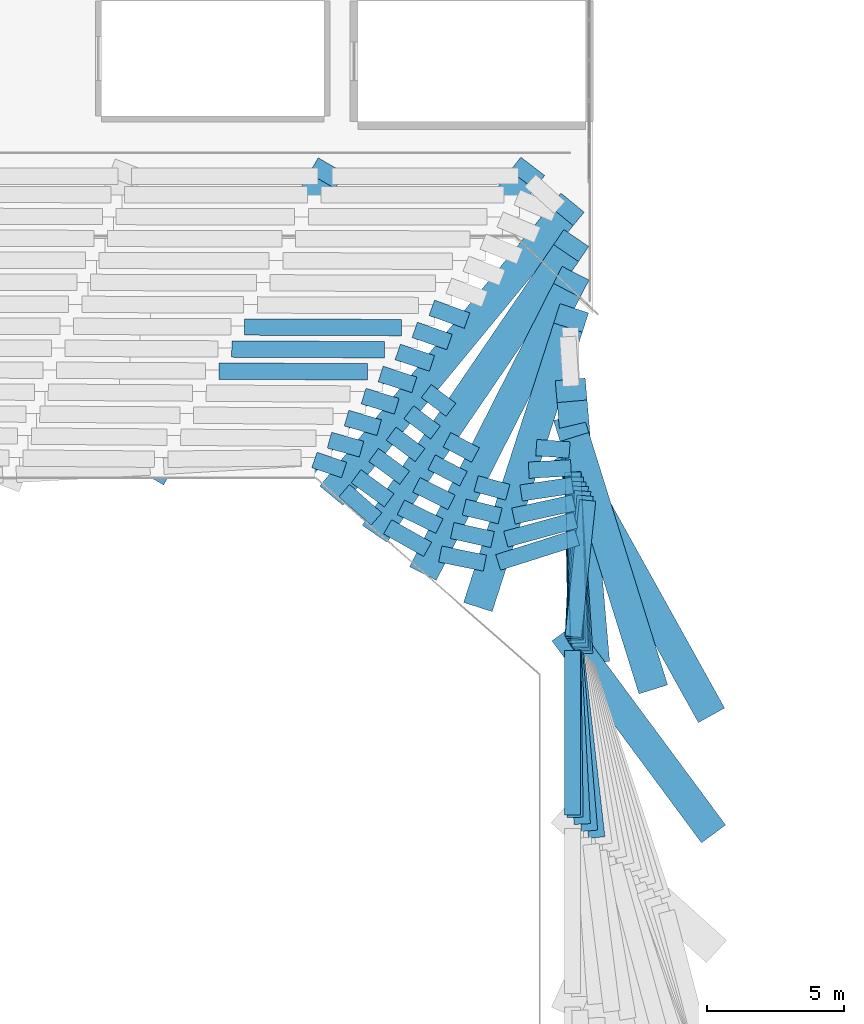
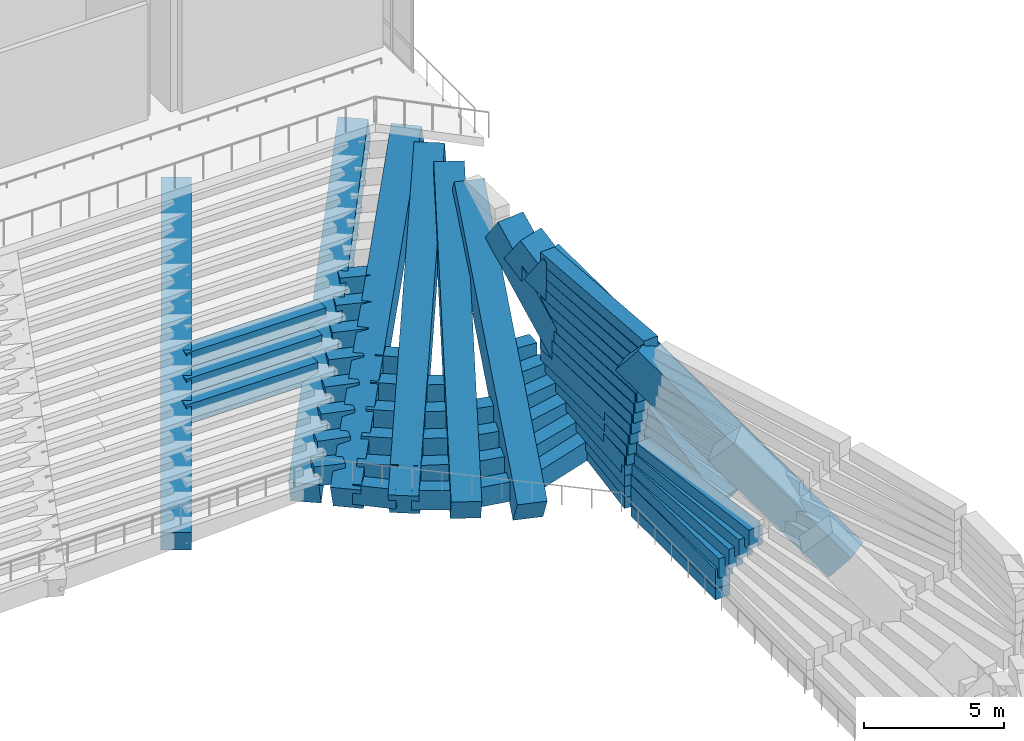
# One storey, part 26 of 55: 63 beams.
"""IFC4 building model written with IfcOpenShell, lengths in metres."""

from ifc_helpers import new_model, si_unit, derived_unit, direction, frame, origin, origin_2d, place, context, subcontext, project, spatial, rectangle, extrude, material, material_profile, profile_set, type_object, element, save


model = new_model("IFC4")

# Units and contexts
model_context = context("Model", 3, precision=1e-05, world=origin(), true_north=direction((0.0, 1.0)))
body_context = subcontext(model_context, "Body", "Model", "MODEL_VIEW")
ifc_project = project(units=[si_unit("LENGTHUNIT", "METRE"), si_unit("AREAUNIT", "SQUARE_METRE"), si_unit("VOLUMEUNIT", "CUBIC_METRE"), si_unit("PLANEANGLEUNIT", "RADIAN"), si_unit("MASSUNIT", "GRAM", prefix="KILO"), derived_unit("THERMALTRANSMITTANCEUNIT", [(si_unit("MASSUNIT", "GRAM", prefix="KILO"), 1), (si_unit("TIMEUNIT", "SECOND"), -3), (si_unit("THERMODYNAMICTEMPERATUREUNIT", "KELVIN"), -1)])], contexts=[model_context])

# Site, building, storey
site_placement = place(None, origin())
site = spatial("IfcSite", under=ifc_project, at=site_placement, CompositionType="ELEMENT")
building_placement = place(site_placement, origin())
building = spatial("IfcBuilding", under=site, at=building_placement, Name="Valcora Ridge Arena", CompositionType="ELEMENT")
storey_placement = place(building_placement, frame((0.0, 0.0, 21.0)))
storey = spatial("IfcBuildingStorey", under=building, at=storey_placement, Name="L04", CompositionType="ELEMENT", Elevation=21.0)

# Beams
ifc_material_1 = material(Name="Concrete C40/50", Category="concrete")
ifc_material_profile_1 = material_profile(ifc_material_1, rectangle(XDim=0.60009765625, YDim=0.85009765625, at=origin_2d()), Name="RC 600x850")
ifc_profile_set_1 = profile_set([ifc_material_profile_1], Name="Concrete C40/50")
beam_type_1 = type_object("IfcBeamType", Name="TY-BEAM-B-RC600-X", PredefinedType="BEAM", material=ifc_profile_set_1)
beam_1_placement = place(storey_placement, frame((89.049560546875, 77.405517578125, -8.22509765625), z_axis=(0.0, 1.0, 0.0), x_axis=(-1.0, 0.0, 0.0)))
element("IfcBeam", 1, at=beam_1_placement, inside=storey, type_object=beam_type_1, Name="B-RC600-X BEM-RU3-B-RC600-X-0025", PredefinedType="BEAM", context=body_context, shape_type="SweptSolid", body=[
    extrude(rectangle(XDim=0.60009765625, YDim=0.85009765625, at=origin_2d()), origin(), (0.0, 0.0, 1.0), 6.027587890625),
])
beam_2_placement = place(storey_placement, frame((89.07568359375, 83.931884765625, -8.22509765625), z_axis=(0.104811430314, 0.994492113632, 0.0), x_axis=(-0.994492113632, 0.104811430314, 0.0)))
element("IfcBeam", 2, at=beam_2_placement, inside=storey, type_object=beam_type_1, Name="B-RC600-X BEM-RU3-B-RC600-X-0026", PredefinedType="BEAM", context=body_context, shape_type="SweptSolid", body=[
    extrude(rectangle(XDim=0.60009765625, YDim=0.85009765625, at=origin_2d()), origin(), (0.0, 0.0, 1.0), 5.017333984375),
])
beam_3_placement = place(storey_placement, frame((89.218994140625, 87.569091796875, -8.22509765625), z_axis=(-0.953092587422, -0.302678905443, 0.0), x_axis=(0.302678905443, -0.953092587422, 0.0)))
element("IfcBeam", 3, at=beam_3_placement, inside=storey, type_object=beam_type_1, Name="B-RC600-X BEM-RU3-B-RC600-X-0027", PredefinedType="BEAM", context=body_context, shape_type="SweptSolid", body=[
    extrude(rectangle(XDim=0.60009765625, YDim=0.85009765625, at=origin_2d()), origin(), (0.0, 0.0, 1.0), 3.034423828125),
])
beam_4_placement = place(storey_placement, frame((85.84375, 86.625, -8.22509765625), z_axis=(-0.979945379048, 0.199266289379, 0.0), x_axis=(-0.199266289379, -0.979945379048, 0.0)))
element("IfcBeam", 4, at=beam_4_placement, inside=storey, type_object=beam_type_1, Name="B-RC600-X BEM-RU3-B-RC600-X-0028", PredefinedType="BEAM", context=body_context, shape_type="SweptSolid", body=[
    extrude(rectangle(XDim=0.60009765625, YDim=0.85009765625, at=origin_2d()), origin(), (0.0, 0.0, 1.0), 1.668701171875),
])
beam_5_placement = place(storey_placement, frame((83.74560546875, 87.1298828125, -8.22509765625), z_axis=(-0.871567775665, 0.490275037528, 0.0), x_axis=(-0.490275037528, -0.871567775665, 0.0)))
element("IfcBeam", 5, at=beam_5_placement, inside=storey, type_object=beam_type_1, Name="B-RC600-X BEM-RU3-B-RC600-X-0029", PredefinedType="BEAM", context=body_context, shape_type="SweptSolid", body=[
    extrude(rectangle(XDim=0.60009765625, YDim=0.85009765625, at=origin_2d()), origin(), (0.0, 0.0, 1.0), 1.68017578125),
])
beam_6_placement = place(storey_placement, frame((81.875244140625, 88.240966796875, -8.22509765625), z_axis=(-0.751796929864, 0.659394704442, 0.0), x_axis=(-0.659394704442, -0.751796929864, 0.0)))
element("IfcBeam", 6, at=beam_6_placement, inside=storey, type_object=beam_type_1, Name="B-RC600-X BEM-RU3-B-RC600-X-0030", PredefinedType="BEAM", context=body_context, shape_type="SweptSolid", body=[
    extrude(rectangle(XDim=0.60009765625, YDim=0.85009765625, at=origin_2d()), origin(), (0.0, 0.0, 1.0), 1.572021484375),
])
beam_7_placement = place(storey_placement, frame((89.049560546875, 77.405517578125, -7.7451171875), z_axis=(0.0, 1.0, 0.0), x_axis=(-1.0, 0.0, 0.0)))
element("IfcBeam", 7, at=beam_7_placement, inside=storey, type_object=beam_type_1, Name="B-RC600-X BEM-RU3-B-RC600-X-0074", PredefinedType="BEAM", context=body_context, shape_type="SweptSolid", body=[
    extrude(rectangle(XDim=0.60009765625, YDim=0.85009765625, at=origin_2d()), origin(), (0.0, 0.0, 1.0), 6.027587890625),
])
beam_8_placement = place(storey_placement, frame((89.07080078125, 83.932373046875, -7.7451171875), z_axis=(0.084992008526, 0.996381632953, 0.0), x_axis=(-0.996381632953, 0.084992008526, 0.0)))
element("IfcBeam", 8, at=beam_8_placement, inside=storey, type_object=beam_type_1, Name="B-RC600-X BEM-RU3-B-RC600-X-0075", PredefinedType="BEAM", context=body_context, shape_type="SweptSolid", body=[
    extrude(rectangle(XDim=0.60009765625, YDim=0.85009765625, at=origin_2d()), origin(), (0.0, 0.0, 1.0), 5.17919921875),
])
beam_9_placement = place(storey_placement, frame((89.16259765625, 88.19970703125, -7.7451171875), z_axis=(-0.964544451125, -0.263920445975, 0.0), x_axis=(0.263920445975, -0.964544451125, 0.0)))
element("IfcBeam", 9, at=beam_9_placement, inside=storey, type_object=beam_type_1, Name="B-RC600-X BEM-RU3-B-RC600-X-0076", PredefinedType="BEAM", context=body_context, shape_type="SweptSolid", body=[
    extrude(rectangle(XDim=0.60009765625, YDim=0.85009765625, at=origin_2d()), origin(), (0.0, 0.0, 1.0), 2.6494140625),
])
beam_10_placement = place(storey_placement, frame((86.1220703125, 87.489013671875, -7.7451171875), z_axis=(-0.97615664902, 0.217067262787, 0.0), x_axis=(-0.217067262787, -0.97615664902, 0.0)))
element("IfcBeam", 10, at=beam_10_placement, inside=storey, type_object=beam_type_1, Name="B-RC600-X BEM-RU3-B-RC600-X-0077", PredefinedType="BEAM", context=body_context, shape_type="SweptSolid", body=[
    extrude(rectangle(XDim=0.60009765625, YDim=0.85009765625, at=origin_2d()), origin(), (0.0, 0.0, 1.0), 1.51171875),
])
beam_11_placement = place(storey_placement, frame((84.177734375, 87.98095703125, -7.7451171875), z_axis=(-0.89916563474, 0.437608456617, 0.0), x_axis=(-0.437608456617, -0.89916563474, 0.0)))
element("IfcBeam", 11, at=beam_11_placement, inside=storey, type_object=beam_type_1, Name="B-RC600-X BEM-RU3-B-RC600-X-0078", PredefinedType="BEAM", context=body_context, shape_type="SweptSolid", body=[
    extrude(rectangle(XDim=0.60009765625, YDim=0.85009765625, at=origin_2d()), origin(), (0.0, 0.0, 1.0), 1.56982421875),
])
beam_12_placement = place(storey_placement, frame((82.339111328125, 88.92431640625, -7.7451171875), z_axis=(-0.808848831066, 0.588016639631, 0.0), x_axis=(-0.588016639631, -0.808848831066, 0.0)))
element("IfcBeam", 12, at=beam_12_placement, inside=storey, type_object=beam_type_1, Name="B-RC600-X BEM-RU3-B-RC600-X-0079", PredefinedType="BEAM", context=body_context, shape_type="SweptSolid", body=[
    extrude(rectangle(XDim=0.60009765625, YDim=0.85009765625, at=origin_2d()), origin(), (0.0, 0.0, 1.0), 1.498046875),
])
beam_13_placement = place(storey_placement, frame((80.6884765625, 90.032470703125, -7.7451171875), z_axis=(-0.947035229154, 0.321129685239, 0.0), x_axis=(-0.321129685239, -0.947035229154, 0.0)))
element("IfcBeam", 13, at=beam_13_placement, inside=storey, type_object=beam_type_1, Name="B-RC600-X BEM-RU3-B-RC600-X-0080", PredefinedType="BEAM", context=body_context, shape_type="SweptSolid", body=[
    extrude(rectangle(XDim=0.60009765625, YDim=0.85009765625, at=origin_2d()), origin(), (0.0, 0.0, 1.0), 1.1494140625),
])
beam_14_placement = place(storey_placement, frame((89.14013671875, 77.320556640625, -7.264892578125), z_axis=(-0.014257447522, 0.999898357429, 0.0), x_axis=(-0.999898357429, -0.014257447522, 0.0)))
element("IfcBeam", 14, at=beam_14_placement, inside=storey, type_object=beam_type_1, Name="B-RC600-X BEM-RU3-B-RC600-X-0125", PredefinedType="BEAM", context=body_context, shape_type="SweptSolid", body=[
    extrude(rectangle(XDim=0.60009765625, YDim=0.85009765625, at=origin_2d()), origin(), (0.0, 0.0, 1.0), 6.11328125),
])
beam_15_placement = place(storey_placement, frame((89.066162109375, 83.9326171875, -7.264892578125), z_axis=(0.066300652641, 0.99779969105, 0.0), x_axis=(-0.99779969105, 0.066300652641, 0.0)))
element("IfcBeam", 15, at=beam_15_placement, inside=storey, type_object=beam_type_1, Name="B-RC600-X BEM-RU3-B-RC600-X-0126", PredefinedType="BEAM", context=body_context, shape_type="SweptSolid", body=[
    extrude(rectangle(XDim=0.60009765625, YDim=0.85009765625, at=origin_2d()), origin(), (0.0, 0.0, 1.0), 5.343017578125),
])
beam_16_placement = place(storey_placement, frame((89.106201171875, 88.8330078125, -7.264892578125), z_axis=(-0.976877572152, -0.213799459838, 0.0), x_axis=(0.213799459838, -0.976877572152, 0.0)))
element("IfcBeam", 16, at=beam_16_placement, inside=storey, type_object=beam_type_1, Name="B-RC600-X BEM-RU3-B-RC600-X-0127", PredefinedType="BEAM", context=body_context, shape_type="SweptSolid", body=[
    extrude(rectangle(XDim=0.60009765625, YDim=0.85009765625, at=origin_2d()), origin(), (0.0, 0.0, 1.0), 2.271240234375),
])
beam_17_placement = place(storey_placement, frame((86.400390625, 88.353515625, -7.264892578125), z_axis=(-0.971224212148, 0.238167020675, 0.0), x_axis=(-0.238167020675, -0.971224212148, 0.0)))
element("IfcBeam", 17, at=beam_17_placement, inside=storey, type_object=beam_type_1, Name="B-RC600-X BEM-RU3-B-RC600-X-0128", PredefinedType="BEAM", context=body_context, shape_type="SweptSolid", body=[
    extrude(rectangle(XDim=0.60009765625, YDim=0.85009765625, at=origin_2d()), origin(), (0.0, 0.0, 1.0), 1.355224609375),
])
beam_18_placement = place(storey_placement, frame((84.617919921875, 88.84765625, -7.264892578125), z_axis=(-0.894257727757, 0.447552361571, 0.0), x_axis=(-0.447552361571, -0.894257727757, 0.0)))
element("IfcBeam", 18, at=beam_18_placement, inside=storey, type_object=beam_type_1, Name="B-RC600-X BEM-RU3-B-RC600-X-0129", PredefinedType="BEAM", context=body_context, shape_type="SweptSolid", body=[
    extrude(rectangle(XDim=0.60009765625, YDim=0.85009765625, at=origin_2d()), origin(), (0.0, 0.0, 1.0), 1.441162109375),
])
beam_19_placement = place(storey_placement, frame((82.90380859375, 89.752685546875, -7.264892578125), z_axis=(-0.806040655249, 0.591860171059, 0.0), x_axis=(-0.591860171059, -0.806040655249, 0.0)))
element("IfcBeam", 19, at=beam_19_placement, inside=storey, type_object=beam_type_1, Name="B-RC600-X BEM-RU3-B-RC600-X-0130", PredefinedType="BEAM", context=body_context, shape_type="SweptSolid", body=[
    extrude(rectangle(XDim=0.60009765625, YDim=0.85009765625, at=origin_2d()), origin(), (0.0, 0.0, 1.0), 1.406494140625),
])
beam_20_placement = place(storey_placement, frame((81.327392578125, 90.7998046875, -7.264892578125), z_axis=(-0.963566653158, 0.267468325082, 0.0), x_axis=(-0.267468325082, -0.963566653158, 0.0)))
element("IfcBeam", 20, at=beam_20_placement, inside=storey, type_object=beam_type_1, Name="B-RC600-X BEM-RU3-B-RC600-X-0131", PredefinedType="BEAM", context=body_context, shape_type="SweptSolid", body=[
    extrude(rectangle(XDim=0.60009765625, YDim=0.85009765625, at=origin_2d()), origin(), (0.0, 0.0, 1.0), 1.219482421875),
])
beam_21_placement = place(storey_placement, frame((89.404541015625, 77.07373046875, -6.784912109375), z_axis=(-0.052353199122, 0.998628630944, 0.0), x_axis=(-0.998628630944, -0.052353199122, 0.0)))
element("IfcBeam", 21, at=beam_21_placement, inside=storey, type_object=beam_type_1, Name="B-RC600-X BEM-RU3-B-RC600-X-0175", PredefinedType="BEAM", context=body_context, shape_type="SweptSolid", body=[
    extrude(rectangle(XDim=0.60009765625, YDim=0.85009765625, at=origin_2d()), origin(), (0.0, 0.0, 1.0), 6.356201171875),
])
beam_22_placement = place(storey_placement, frame((89.0703125, 83.920654296875, -6.784912109375), z_axis=(0.047008360598, 0.998894495947, 0.0), x_axis=(-0.998894495947, 0.047008360598, 0.0)))
element("IfcBeam", 22, at=beam_22_placement, inside=storey, type_object=beam_type_1, Name="B-RC600-X BEM-RU3-B-RC600-X-0176", PredefinedType="BEAM", context=body_context, shape_type="SweptSolid", body=[
    extrude(rectangle(XDim=0.60009765625, YDim=0.85009765625, at=origin_2d()), origin(), (0.0, 0.0, 1.0), 5.520751953125),
])
beam_23_placement = place(storey_placement, frame((89.049560546875, 89.47021484375, -6.784912109375), z_axis=(-0.989108867019, -0.147185764202, 0.0), x_axis=(0.147185764202, -0.989108867019, 0.0)))
element("IfcBeam", 23, at=beam_23_placement, inside=storey, type_object=beam_type_1, Name="B-RC600-X BEM-RU3-B-RC600-X-0177", PredefinedType="BEAM", context=body_context, shape_type="SweptSolid", body=[
    extrude(rectangle(XDim=0.60009765625, YDim=0.85009765625, at=origin_2d()), origin(), (0.0, 0.0, 1.0), 1.902587890625),
])
beam_24_placement = place(storey_placement, frame((86.67919921875, 89.218994140625, -6.784912109375), z_axis=(-0.964895151549, 0.262635387023, 0.0), x_axis=(-0.262635387023, -0.964895151549, 0.0)))
element("IfcBeam", 24, at=beam_24_placement, inside=storey, type_object=beam_type_1, Name="B-RC600-X BEM-RU3-B-RC600-X-0178", PredefinedType="BEAM", context=body_context, shape_type="SweptSolid", body=[
    extrude(rectangle(XDim=0.60009765625, YDim=0.85009765625, at=origin_2d()), origin(), (0.0, 0.0, 1.0), 1.2001953125),
])
beam_25_placement = place(storey_placement, frame((85.05810546875, 89.714599609375, -6.784912109375), z_axis=(-0.888473928807, 0.458927094243, 0.0), x_axis=(-0.458927094243, -0.888473928807, 0.0)))
element("IfcBeam", 25, at=beam_25_placement, inside=storey, type_object=beam_type_1, Name="B-RC600-X BEM-RU3-B-RC600-X-0179", PredefinedType="BEAM", context=body_context, shape_type="SweptSolid", body=[
    extrude(rectangle(XDim=0.60009765625, YDim=0.85009765625, at=origin_2d()), origin(), (0.0, 0.0, 1.0), 1.31298828125),
])
beam_26_placement = place(storey_placement, frame((83.46875, 90.580810546875, -6.784912109375), z_axis=(-0.803017827762, 0.595955005262, 0.0), x_axis=(-0.595955005262, -0.803017827762, 0.0)))
element("IfcBeam", 26, at=beam_26_placement, inside=storey, type_object=beam_type_1, Name="B-RC600-X BEM-RU3-B-RC600-X-0180", PredefinedType="BEAM", context=body_context, shape_type="SweptSolid", body=[
    extrude(rectangle(XDim=0.60009765625, YDim=0.85009765625, at=origin_2d()), origin(), (0.0, 0.0, 1.0), 1.31591796875),
])
beam_27_placement = place(storey_placement, frame((81.971435546875, 91.583984375, -6.784912109375), z_axis=(-0.959848260942, 0.280519724739, 0.0), x_axis=(-0.280519724739, -0.959848260942, 0.0)))
element("IfcBeam", 27, at=beam_27_placement, inside=storey, type_object=beam_type_1, Name="B-RC600-X BEM-RU3-B-RC600-X-0181", PredefinedType="BEAM", context=body_context, shape_type="SweptSolid", body=[
    extrude(rectangle(XDim=0.60009765625, YDim=0.85009765625, at=origin_2d()), origin(), (0.0, 0.0, 1.0), 1.24462890625),
])
beam_28_placement = place(storey_placement, frame((89.6708984375, 76.82666015625, -6.304931640625), z_axis=(-0.083393632933, 0.996516684249, 0.0), x_axis=(-0.996516684249, -0.083393632933, 0.0)))
element("IfcBeam", 28, at=beam_28_placement, inside=storey, type_object=beam_type_1, Name="B-RC600-X BEM-RU3-B-RC600-X-0219", PredefinedType="BEAM", context=body_context, shape_type="SweptSolid", body=[
    extrude(rectangle(XDim=0.60009765625, YDim=0.85009765625, at=origin_2d()), origin(), (0.0, 0.0, 1.0), 6.557861328125),
])
beam_29_placement = place(storey_placement, frame((89.10888671875, 83.860595703125, -6.304931640625), z_axis=(0.022937539345, 0.999736900034, 0.0), x_axis=(-0.999736900034, 0.022937539345, 0.0)))
element("IfcBeam", 29, at=beam_29_placement, inside=storey, type_object=beam_type_1, Name="B-RC600-X BEM-RU3-B-RC600-X-0220", PredefinedType="BEAM", context=body_context, shape_type="SweptSolid", body=[
    extrude(rectangle(XDim=0.60009765625, YDim=0.85009765625, at=origin_2d()), origin(), (0.0, 0.0, 1.0), 5.74755859375),
])
beam_30_placement = place(storey_placement, frame((88.99365234375, 90.113525390625, -6.304931640625), z_axis=(-0.998424253213, -0.056116045807, 0.0), x_axis=(0.056116045807, -0.998424253213, 0.0)))
element("IfcBeam", 30, at=beam_30_placement, inside=storey, type_object=beam_type_1, Name="B-RC600-X BEM-RU3-B-RC600-X-0221", PredefinedType="BEAM", context=body_context, shape_type="SweptSolid", body=[
    extrude(rectangle(XDim=0.60009765625, YDim=0.85009765625, at=origin_2d()), origin(), (0.0, 0.0, 1.0), 1.548828125),
])
beam_31_placement = place(storey_placement, frame((85.49853515625, 90.581787109375, -6.304931640625), z_axis=(-0.881593270185, 0.47200985791, 0.0), x_axis=(-0.47200985791, -0.881593270185, 0.0)))
element("IfcBeam", 31, at=beam_31_placement, inside=storey, type_object=beam_type_1, Name="B-RC600-X BEM-RU3-B-RC600-X-0222", PredefinedType="BEAM", context=body_context, shape_type="SweptSolid", body=[
    extrude(rectangle(XDim=0.60009765625, YDim=0.85009765625, at=origin_2d()), origin(), (0.0, 0.0, 1.0), 1.18505859375),
])
beam_32_placement = place(storey_placement, frame((84.033447265625, 91.4091796875, -6.304931640625), z_axis=(-0.799641005307, 0.600478361502, 0.0), x_axis=(-0.600478361502, -0.799641005307, 0.0)))
element("IfcBeam", 32, at=beam_32_placement, inside=storey, type_object=beam_type_1, Name="B-RC600-X BEM-RU3-B-RC600-X-0223", PredefinedType="BEAM", context=body_context, shape_type="SweptSolid", body=[
    extrude(rectangle(XDim=0.60009765625, YDim=0.85009765625, at=origin_2d()), origin(), (0.0, 0.0, 1.0), 1.224609375),
])
beam_33_placement = place(storey_placement, frame((82.615478515625, 92.367919921875, -6.304931640625), z_axis=(-0.956019721156, 0.293302391332, 0.0), x_axis=(-0.293302391332, -0.956019721156, 0.0)))
element("IfcBeam", 33, at=beam_33_placement, inside=storey, type_object=beam_type_1, Name="B-RC600-X BEM-RU3-B-RC600-X-0224", PredefinedType="BEAM", context=body_context, shape_type="SweptSolid", body=[
    extrude(rectangle(XDim=0.60009765625, YDim=0.85009765625, at=origin_2d()), origin(), (0.0, 0.0, 1.0), 1.270263671875),
])
beam_34_placement = place(storey_placement, frame((89.937255859375, 76.57958984375, -5.824951171875), z_axis=(-0.11297198612, 0.993598173485, 0.0), x_axis=(-0.993598173485, -0.11297198612, 0.0)))
element("IfcBeam", 34, at=beam_34_placement, inside=storey, type_object=beam_type_1, Name="B-RC600-X BEM-RU3-B-RC600-X-0258", PredefinedType="BEAM", context=body_context, shape_type="SweptSolid", body=[
    extrude(rectangle(XDim=0.60009765625, YDim=0.85009765625, at=origin_2d()), origin(), (0.0, 0.0, 1.0), 6.770751953125),
])
beam_35_placement = place(storey_placement, frame((89.144287109375, 83.805419921875, -5.824951171875), z_axis=(0.001103661852, 0.999999390965, 0.0), x_axis=(-0.999999390965, 0.001103661852, 0.0)))
element("IfcBeam", 35, at=beam_35_placement, inside=storey, type_object=beam_type_1, Name="B-RC600-X BEM-RU3-B-RC600-X-0259", PredefinedType="BEAM", context=body_context, shape_type="SweptSolid", body=[
    extrude(rectangle(XDim=0.60009765625, YDim=0.85009765625, at=origin_2d()), origin(), (0.0, 0.0, 1.0), 5.97265625),
])
beam_36_placement = place(storey_placement, frame((88.9404296875, 90.76611328125, -5.824951171875), z_axis=(-0.997428120225, 0.071673879374, 0.0), x_axis=(-0.071673879374, -0.997428120225, 0.0)))
element("IfcBeam", 36, at=beam_36_placement, inside=storey, type_object=beam_type_1, Name="B-RC600-X BEM-RU3-B-RC600-X-0260", PredefinedType="BEAM", context=body_context, shape_type="SweptSolid", body=[
    extrude(rectangle(XDim=0.60009765625, YDim=0.85009765625, at=origin_2d()), origin(), (0.0, 0.0, 1.0), 1.219482421875),
])
beam_37_placement = place(storey_placement, frame((84.598388671875, 92.2373046875, -5.824951171875), z_axis=(-0.795767774675, 0.605601889685, 0.0), x_axis=(-0.605601889685, -0.795767774675, 0.0)))
element("IfcBeam", 37, at=beam_37_placement, inside=storey, type_object=beam_type_1, Name="B-RC600-X BEM-RU3-B-RC600-X-0261", PredefinedType="BEAM", context=body_context, shape_type="SweptSolid", body=[
    extrude(rectangle(XDim=0.60009765625, YDim=0.85009765625, at=origin_2d()), origin(), (0.0, 0.0, 1.0), 1.133544921875),
])
beam_38_placement = place(storey_placement, frame((83.25927734375, 93.15185546875, -5.824951171875), z_axis=(-0.952110851119, 0.30575304934, 0.0), x_axis=(-0.30575304934, -0.952110851119, 0.0)))
element("IfcBeam", 38, at=beam_38_placement, inside=storey, type_object=beam_type_1, Name="B-RC600-X BEM-RU3-B-RC600-X-0262", PredefinedType="BEAM", context=body_context, shape_type="SweptSolid", body=[
    extrude(rectangle(XDim=0.60009765625, YDim=0.85009765625, at=origin_2d()), origin(), (0.0, 0.0, 1.0), 1.2958984375),
])
beam_39_placement = place(storey_placement, frame((81.53759765625, 93.6259765625, -5.824951171875), z_axis=(-0.999986157346, 0.005261664886, 0.0), x_axis=(-0.005261664886, -0.999986157346, 0.0)))
element("IfcBeam", 39, at=beam_39_placement, inside=storey, type_object=beam_type_1, Name="B-RC600-X BEM-RU3-B-RC600-X-0263", PredefinedType="BEAM", context=body_context, shape_type="SweptSolid", body=[
    extrude(rectangle(XDim=0.60009765625, YDim=0.85009765625, at=origin_2d()), origin(), (0.0, 0.0, 1.0), 5.4287109375),
])
beam_40_placement = place(storey_placement, frame((89.18017578125, 83.750244140625, -5.344970703125), z_axis=(-0.019293064901, 0.999813871501, 0.0), x_axis=(-0.999813871501, -0.019293064901, 0.0)))
element("IfcBeam", 40, at=beam_40_placement, inside=storey, type_object=beam_type_1, Name="B-RC600-X BEM-RU3-B-RC600-X-0293", PredefinedType="BEAM", context=body_context, shape_type="SweptSolid", body=[
    extrude(rectangle(XDim=0.60009765625, YDim=0.85009765625, at=origin_2d()), origin(), (0.0, 0.0, 1.0), 6.20068359375),
])
beam_41_placement = place(storey_placement, frame((83.903076171875, 93.935302734375, -5.344970703125), z_axis=(-0.948072021383, 0.31805572196, 0.0), x_axis=(-0.31805572196, -0.948072021383, 0.0)))
element("IfcBeam", 41, at=beam_41_placement, inside=storey, type_object=beam_type_1, Name="B-RC600-X BEM-RU3-B-RC600-X-0294", PredefinedType="BEAM", context=body_context, shape_type="SweptSolid", body=[
    extrude(rectangle(XDim=0.60009765625, YDim=0.85009765625, at=origin_2d()), origin(), (0.0, 0.0, 1.0), 1.32177734375),
])
beam_42_placement = place(storey_placement, frame((82.162841796875, 94.436279296875, -5.344970703125), z_axis=(-0.999989474568, 0.00458810989, 0.0), x_axis=(-0.00458810989, -0.999989474568, 0.0)))
element("IfcBeam", 42, at=beam_42_placement, inside=storey, type_object=beam_type_1, Name="B-RC600-X BEM-RU3-B-RC600-X-0295", PredefinedType="BEAM", context=body_context, shape_type="SweptSolid", body=[
    extrude(rectangle(XDim=0.60009765625, YDim=0.85009765625, at=origin_2d()), origin(), (0.0, 0.0, 1.0), 5.587158203125),
])
beam_43_placement = place(storey_placement, frame((89.219482421875, 83.69482421875, -4.864990234375), z_axis=(-0.026095684223, 0.999659449645, 0.0), x_axis=(-0.999659449645, -0.026095684223, 0.0)))
element("IfcBeam", 43, at=beam_43_placement, inside=storey, type_object=beam_type_1, Name="B-RC600-X BEM-RU3-B-RC600-X-0324", PredefinedType="BEAM", context=body_context, shape_type="SweptSolid", body=[
    extrude(rectangle(XDim=0.60009765625, YDim=0.85009765625, at=origin_2d()), origin(), (0.0, 0.0, 1.0), 6.268310546875),
])
beam_44_placement = place(storey_placement, frame((84.546875, 94.71875, -4.864990234375), z_axis=(-0.944058639629, 0.329777629535, 0.0), x_axis=(-0.329777629535, -0.944058639629, 0.0)))
element("IfcBeam", 44, at=beam_44_placement, inside=storey, type_object=beam_type_1, Name="B-RC600-X BEM-RU3-B-RC600-X-0325", PredefinedType="BEAM", context=body_context, shape_type="SweptSolid", body=[
    extrude(rectangle(XDim=0.60009765625, YDim=0.85009765625, at=origin_2d()), origin(), (0.0, 0.0, 1.0), 1.34814453125),
])
beam_45_placement = place(storey_placement, frame((82.7880859375, 95.246826171875, -4.864990234375), z_axis=(-0.999992523586, 0.003866881386, 0.0), x_axis=(-0.003866881386, -0.999992523586, 0.0)))
element("IfcBeam", 45, at=beam_45_placement, inside=storey, type_object=beam_type_1, Name="B-RC600-X BEM-RU3-B-RC600-X-0326", PredefinedType="BEAM", context=body_context, shape_type="SweptSolid", body=[
    extrude(rectangle(XDim=0.60009765625, YDim=0.85009765625, at=origin_2d()), origin(), (0.0, 0.0, 1.0), 5.745361328125),
])
beam_46_placement = place(storey_placement, frame((89.2587890625, 83.6396484375, -4.385009765625), z_axis=(-0.031808398098, 0.99949398488, 0.0), x_axis=(-0.99949398488, -0.031808398098, 0.0)))
element("IfcBeam", 46, at=beam_46_placement, inside=storey, type_object=beam_type_1, Name="B-RC600-X BEM-RU3-B-RC600-X-0354", PredefinedType="BEAM", context=body_context, shape_type="SweptSolid", body=[
    extrude(rectangle(XDim=0.60009765625, YDim=0.85009765625, at=origin_2d()), origin(), (0.0, 0.0, 1.0), 6.324462890625),
])
beam_47_placement = place(storey_placement, frame((85.190673828125, 95.502197265625, -4.385009765625), z_axis=(-0.940005836098, 0.341158362204, 0.0), x_axis=(-0.341158362204, -0.940005836098, 0.0)))
element("IfcBeam", 47, at=beam_47_placement, inside=storey, type_object=beam_type_1, Name="B-RC600-X BEM-RU3-B-RC600-X-0355", PredefinedType="BEAM", context=body_context, shape_type="SweptSolid", body=[
    extrude(rectangle(XDim=0.60009765625, YDim=0.85009765625, at=origin_2d()), origin(), (0.0, 0.0, 1.0), 1.374755859375),
])
beam_48_placement = place(storey_placement, frame((89.29833984375, 83.58447265625, -3.905029296875), z_axis=(-0.037532401638, 0.999295411191, 0.0), x_axis=(-0.999295411191, -0.037532401638, 0.0)))
element("IfcBeam", 48, at=beam_48_placement, inside=storey, type_object=beam_type_1, Name="B-RC600-X BEM-RU3-B-RC600-X-0384", PredefinedType="BEAM", context=body_context, shape_type="SweptSolid", body=[
    extrude(rectangle(XDim=0.60009765625, YDim=0.85009765625, at=origin_2d()), origin(), (0.0, 0.0, 1.0), 6.381103515625),
])
beam_49_placement = place(storey_placement, frame((89.337890625, 83.529296875, -3.425048828125), z_axis=(-0.043117956988, 0.999069988432, 0.0), x_axis=(-0.999069988432, -0.043117956988, 0.0)))
element("IfcBeam", 49, at=beam_49_placement, inside=storey, type_object=beam_type_1, Name="B-RC600-X BEM-RU3-B-RC600-X-0415", PredefinedType="BEAM", context=body_context, shape_type="SweptSolid", body=[
    extrude(rectangle(XDim=0.60009765625, YDim=0.85009765625, at=origin_2d()), origin(), (0.0, 0.0, 1.0), 6.43798828125),
])
beam_50_placement = place(storey_placement, frame((89.377197265625, 83.473876953125, -2.945068359375), z_axis=(-0.048565236205, 0.998820012731, 0.0), x_axis=(-0.998820012731, -0.048565236205, 0.0)))
element("IfcBeam", 50, at=beam_50_placement, inside=storey, type_object=beam_type_1, Name="B-RC600-X BEM-RU3-B-RC600-X-0447", PredefinedType="BEAM", context=body_context, shape_type="SweptSolid", body=[
    extrude(rectangle(XDim=0.60009765625, YDim=0.85009765625, at=origin_2d()), origin(), (0.0, 0.0, 1.0), 6.494873046875),
])
beam_51_placement = place(storey_placement, frame((89.4169921875, 83.418701171875, -2.465087890625), z_axis=(-0.05402948146, 0.998539340804, 0.0), x_axis=(-0.998539340804, -0.05402948146, 0.0)))
element("IfcBeam", 51, at=beam_51_placement, inside=storey, type_object=beam_type_1, Name="B-RC600-X BEM-RU3-B-RC600-X-0479", PredefinedType="BEAM", context=body_context, shape_type="SweptSolid", body=[
    extrude(rectangle(XDim=0.60009765625, YDim=0.85009765625, at=origin_2d()), origin(), (0.0, 0.0, 1.0), 6.552001953125),
])
beam_52_placement = place(storey_placement, frame((89.45654296875, 83.36328125, -1.985107421875), z_axis=(-0.059358609219, 0.998236723183, 0.0), x_axis=(-0.998236723183, -0.059358609219, 0.0)))
element("IfcBeam", 52, at=beam_52_placement, inside=storey, type_object=beam_type_1, Name="B-RC600-X BEM-RU3-B-RC600-X-0511", PredefinedType="BEAM", context=body_context, shape_type="SweptSolid", body=[
    extrude(rectangle(XDim=0.60009765625, YDim=0.85009765625, at=origin_2d()), origin(), (0.0, 0.0, 1.0), 6.609619140625),
])
beam_53_placement = place(storey_placement, frame((89.49609375, 83.30810546875, -1.5048828125), z_axis=(-0.064557550149, 0.997913985631, 0.0), x_axis=(-0.997913985631, -0.064557550149, 0.0)))
element("IfcBeam", 53, at=beam_53_placement, inside=storey, type_object=beam_type_1, Name="B-RC600-X BEM-RU3-B-RC600-X-0543", PredefinedType="BEAM", context=body_context, shape_type="SweptSolid", body=[
    extrude(rectangle(XDim=0.60009765625, YDim=0.85009765625, at=origin_2d()), origin(), (0.0, 0.0, 1.0), 6.667236328125),
])
ifc_material_2 = material(Name="Concrete C45/55", Category="concrete")
ifc_material_profile_2 = material_profile(ifc_material_2, rectangle(XDim=1.10009765625, YDim=1.39990234375, at=origin_2d()), Name="RC 1100x1400")
ifc_profile_set_2 = profile_set([ifc_material_profile_2], Name="Concrete C45/55")
beam_type_2 = type_object("IfcBeamType", Name="TY-BEAM-RKR-UPP-1400", PredefinedType="USERDEFINED", material=ifc_profile_set_2)
beam_54_placement = place(storey_placement, frame((93.949951171875, 77.0673828125, -8.52001953125), z_axis=(-0.462416700366, 0.624279650921, 0.629639351271), x_axis=(-0.803564994123, -0.59521701943, 0.0)))
element("IfcBeam", 54, at=beam_54_placement, inside=storey, type_object=beam_type_2, Name="RKR-UPP-1400 BEM-RK-RKR-UPP-1400-0023", ObjectType="RAKER", PredefinedType="USERDEFINED", context=body_context, shape_type="SweptSolid", body=[
    extrude(rectangle(XDim=1.10009765625, YDim=1.39990234375, at=origin_2d()), origin(), (0.0, 0.0, 1.0), 10.70458984375),
])
beam_55_placement = place(storey_placement, frame((93.949951171875, 81.389892578125, -8.52001953125), z_axis=(-0.405080546431, 0.729164962887, 0.551568860435), x_axis=(-0.874162925188, -0.485632762719, 0.0)))
element("IfcBeam", 55, at=beam_55_placement, inside=storey, type_object=beam_type_2, Name="RKR-UPP-1400 BEM-RK-RKR-UPP-1400-0024", ObjectType="RAKER", PredefinedType="USERDEFINED", context=body_context, shape_type="SweptSolid", body=[
    extrude(rectangle(XDim=1.10009765625, YDim=1.39990234375, at=origin_2d()), origin(), (0.0, 0.0, 1.0), 12.2197265625),
])
beam_56_placement = place(storey_placement, frame((91.887451171875, 82.385009765625, -8.52001953125), z_axis=(-0.244785178938, 0.78332499089, 0.571386187109), x_axis=(-0.95448132426, -0.298270685181, 0.0)))
element("IfcBeam", 56, at=beam_56_placement, inside=storey, type_object=beam_type_2, Name="RKR-UPP-1400 BEM-RK-RKR-UPP-1400-0025", ObjectType="RAKER", PredefinedType="USERDEFINED", context=body_context, shape_type="SweptSolid", body=[
    extrude(rectangle(XDim=1.10009765625, YDim=1.39990234375, at=origin_2d()), origin(), (0.0, 0.0, 1.0), 11.7958984375),
])
beam_57_placement = place(storey_placement, frame((89.824951171875, 83.3798828125, -8.52001953125), z_axis=(-0.070302438119, 0.815562376984, 0.574382778678), x_axis=(-0.996305256442, -0.085882687352, 0.0)))
element("IfcBeam", 57, at=beam_57_placement, inside=storey, type_object=beam_type_2, Name="RKR-UPP-1400 BEM-RK-RKR-UPP-1400-0026", ObjectType="RAKER", PredefinedType="USERDEFINED", context=body_context, shape_type="SweptSolid", body=[
    extrude(rectangle(XDim=1.10009765625, YDim=1.39990234375, at=origin_2d()), origin(), (0.0, 0.0, 1.0), 11.734375),
])
beam_58_placement = place(storey_placement, frame((85.699951171875, 85.3701171875, -8.52001953125), z_axis=(0.260104281601, 0.806309803038, 0.531234660218), x_axis=(-0.951707119268, 0.30700742521, 0.0)))
element("IfcBeam", 58, at=beam_58_placement, inside=storey, type_object=beam_type_2, Name="RKR-UPP-1400 BEM-RK-RKR-UPP-1400-0027", ObjectType="RAKER", PredefinedType="USERDEFINED", context=body_context, shape_type="SweptSolid", body=[
    extrude(rectangle(XDim=1.10009765625, YDim=1.39990234375, at=origin_2d()), origin(), (0.0, 0.0, 1.0), 12.6875),
])
beam_59_placement = place(storey_placement, frame((83.735107421875, 86.557373046875, -8.52001953125), z_axis=(0.391731275149, 0.771400896382, 0.501485059728), x_axis=(-0.891621520799, 0.452781474498, 0.0)))
element("IfcBeam", 59, at=beam_59_placement, inside=storey, type_object=beam_type_2, Name="RKR-UPP-1400 BEM-RK-RKR-UPP-1400-0028", ObjectType="RAKER", PredefinedType="USERDEFINED", context=body_context, shape_type="SweptSolid", body=[
    extrude(rectangle(XDim=1.10009765625, YDim=1.39990234375, at=origin_2d()), origin(), (0.0, 0.0, 1.0), 13.43994140625),
])
beam_60_placement = place(storey_placement, frame((81.9931640625, 87.973388671875, -8.52001953125), z_axis=(0.49529475154, 0.726426549706, 0.476432132605), x_axis=(-0.826225266437, 0.563339869972, 0.0)))
element("IfcBeam", 60, at=beam_60_placement, inside=storey, type_object=beam_type_2, Name="RKR-UPP-1400 BEM-RK-RKR-UPP-1400-0029", ObjectType="RAKER", PredefinedType="USERDEFINED", context=body_context, shape_type="SweptSolid", body=[
    extrude(rectangle(XDim=1.10009765625, YDim=1.39990234375, at=origin_2d()), origin(), (0.0, 0.0, 1.0), 14.146728515625),
])
beam_61_placement = place(storey_placement, frame((80.421142578125, 89.33984375, -8.52001953125), z_axis=(0.566695277854, 0.688126462953, 0.453142839557), x_axis=(-0.771928641086, 0.635709189073, 0.0)))
element("IfcBeam", 61, at=beam_61_placement, inside=storey, type_object=beam_type_2, Name="RKR-UPP-1400 BEM-RK-RKR-UPP-1400-0030", ObjectType="RAKER", PredefinedType="USERDEFINED", context=body_context, shape_type="SweptSolid", body=[
    extrude(rectangle(XDim=1.10009765625, YDim=1.39990234375, at=origin_2d()), origin(), (0.0, 0.0, 1.0), 14.873779296875),
])
beam_62_placement = place(storey_placement, frame((79.281982421875, 90.376708984375, -8.52001953125), z_axis=(0.54475851897, 0.706166023372, 0.452291613281), x_axis=(-0.791781240256, 0.610804770428, 0.0)))
element("IfcBeam", 62, at=beam_62_placement, inside=storey, type_object=beam_type_2, Name="RKR-UPP-1400 BEM-RK-RKR-UPP-1400-0031", ObjectType="RAKER", PredefinedType="USERDEFINED", context=body_context, shape_type="SweptSolid", body=[
    extrude(rectangle(XDim=1.10009765625, YDim=1.39990234375, at=origin_2d()), origin(), (0.0, 0.0, 1.0), 14.90185546875),
])
beam_63_placement = place(storey_placement, frame((73.771484375, 90.048095703125, -8.52001953125), z_axis=(0.441093241789, 0.762381051611, 0.473510173273), x_axis=(-0.865566685164, 0.500793683601, 0.0)))
element("IfcBeam", 63, at=beam_63_placement, inside=storey, type_object=beam_type_2, Name="RKR-UPP-1400 BEM-RK-RKR-UPP-1400-0032", ObjectType="RAKER", PredefinedType="USERDEFINED", context=body_context, shape_type="SweptSolid", body=[
    extrude(rectangle(XDim=1.10009765625, YDim=1.39990234375, at=origin_2d()), origin(), (0.0, 0.0, 1.0), 14.234130859375),
])

save(model, "model.ifc")
